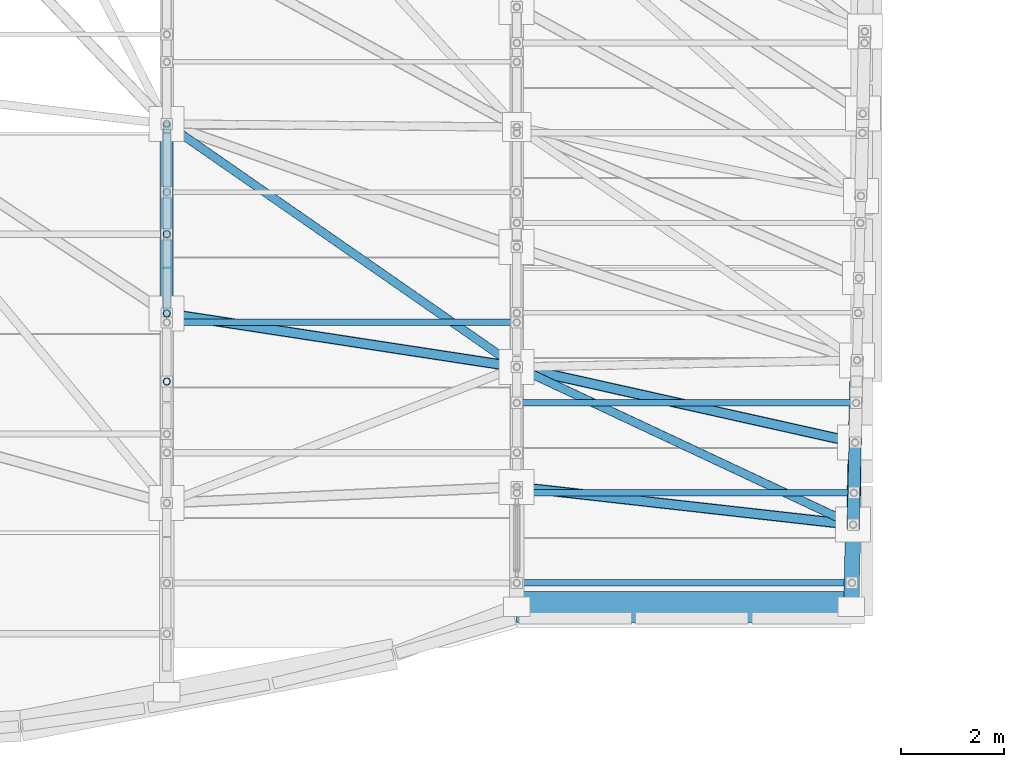
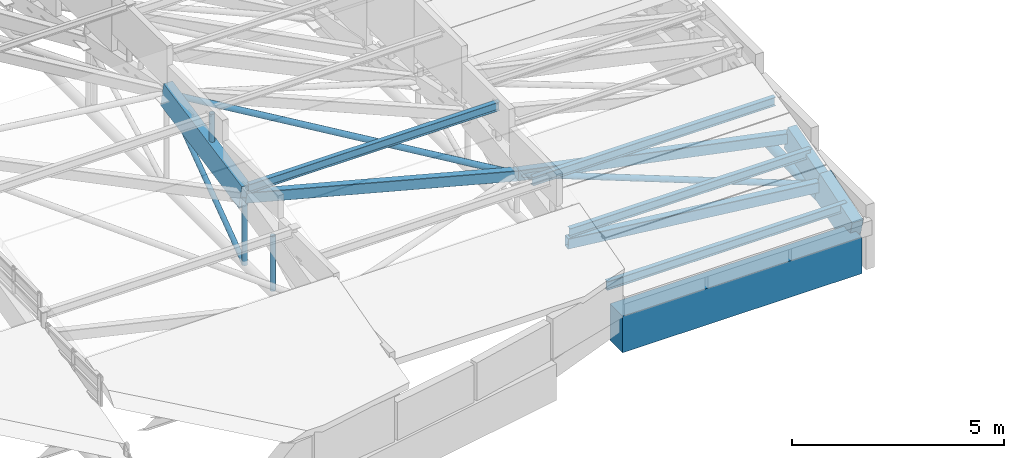
# One storey, part 30 of 188: 17 members, 1 beam.
"""IFC4 building model written with IfcOpenShell, lengths in metres."""

from ifc_helpers import new_model, si_unit, direction, frame, origin, origin_2d, place, context, subcontext, project, spatial, rectangle, hollow_rectangle, hollow_circle, i_section, extrude, material, material_profile, profile_set, type_object, element, save


model = new_model("IFC4")

# Units and contexts
model_context = context("Model", 3, precision=1e-05, world=origin(), true_north=direction((0.0, 1.0)))
body_context = subcontext(model_context, "Body", "Model", "MODEL_VIEW")
ifc_project = project(units=[si_unit("LENGTHUNIT", "METRE"), si_unit("AREAUNIT", "SQUARE_METRE"), si_unit("VOLUMEUNIT", "CUBIC_METRE"), si_unit("PLANEANGLEUNIT", "RADIAN"), si_unit("MASSUNIT", "GRAM", prefix="KILO")], contexts=[model_context])

# Site, building, storey
site_placement = place(None, origin())
site = spatial("IfcSite", under=ifc_project, at=site_placement, CompositionType="ELEMENT")
building_placement = place(site_placement, origin())
building = spatial("IfcBuilding", under=site, at=building_placement, Name="Kisaragi Civic Commons", CompositionType="ELEMENT")
storey_placement = place(building_placement, frame((0.0, 0.0, 9.60009765625)))
storey = spatial("IfcBuildingStorey", under=building, at=storey_placement, Name="L02", CompositionType="ELEMENT", Elevation=9.60009765625)

# Members
ifc_material_1 = material(Name="Steel SN400 (SN400B)", Category="steel")
ifc_material_profile_1 = material_profile(ifc_material_1, hollow_circle(Radius=0.08251953125, WallThickness=0.006103515625, at=origin_2d()), Name="CHS-165.2x6.0", Category="steel")
ifc_profile_set_1 = profile_set([ifc_material_profile_1], Name="Steel SN400 (SN400B)")
member_type_1 = type_object("IfcMemberType", Name="BR-02", PredefinedType="BRACE", material=ifc_profile_set_1)
member_1_placement = place(storey_placement, frame((34.0, 13.4033203125, 2.602783203125), z_axis=(0.801832133519, -0.556731110837, -0.217061511749), x_axis=(0.570328934437, 0.821416402651, 0.0)))
element("IfcMember", 1, at=member_1_placement, inside=storey, type_object=member_type_1, Name="V1 diagonal gridshell steel brace 32", PredefinedType="BRACE", context=body_context, shape_type="SweptSolid", body=[
    extrude(hollow_circle(Radius=0.08251953125, WallThickness=0.006103515625, at=origin_2d()), origin(), (0.0, 0.0, 1.0), 8.480712890625),
])
member_2_placement = place(storey_placement, frame((40.800048828125, 8.681884765625, 0.761962890625), z_axis=(0.900859454172, -0.422287331246, -0.100626307183), x_axis=(0.424441673351, 0.905455281018, 0.0)))
element("IfcMember", 2, at=member_2_placement, inside=storey, type_object=member_type_1, Name="V1 diagonal gridshell steel brace 37", PredefinedType="BRACE", context=body_context, shape_type="SweptSolid", body=[
    extrude(hollow_circle(Radius=0.08251953125, WallThickness=0.006103515625, at=origin_2d()), origin(), (0.0, 0.0, 1.0), 7.2568359375),
])

# Beam
ifc_material_2 = material(Name="Concrete Fc36", Category="concrete")
ifc_material_profile_2 = material_profile(ifc_material_2, rectangle(XDim=0.60009765625, YDim=1.050048828125, at=origin_2d()), Name="RC-600x1050", Category="concrete")
ifc_profile_set_2 = profile_set([ifc_material_profile_2], Name="Concrete Fc36")
beam_type = type_object("IfcBeamType", Name="G-06", PredefinedType="BEAM", material=ifc_profile_set_2)
beam_placement = place(storey_placement, frame((40.800048828125, 4.02001953125, -0.84521484375), z_axis=(1.0, 0.0, 0.0), x_axis=(0.0, 1.0, 0.0)))
element("IfcBeam", 3, at=beam_placement, inside=storey, type_object=beam_type, Name="L02 girder G-06 245", PredefinedType="BEAM", context=body_context, shape_type="SweptSolid", body=[
    extrude(rectangle(XDim=0.60009765625, YDim=1.050048828125, at=origin_2d()), origin(), (0.0, 0.0, 1.0), 6.5),
])

# Members
ifc_material_3 = material(Name="Steel SN490 (SN490B)", Category="steel")
ifc_material_profile_3 = material_profile(ifc_material_3, hollow_rectangle(XDim=0.199951171875, YDim=0.300048828125, WallThickness=0.009033203125, InnerFilletRadius=0.009033203125, OuterFilletRadius=0.01806640625, at=origin_2d()), Name="STKR-300x200x9", Category="steel")
ifc_profile_set_3 = profile_set([ifc_material_profile_3], Name="Steel SN490 (SN490B)")
member_type_2 = type_object("IfcMemberType", Name="GC-02", PredefinedType="CHORD", material=ifc_profile_set_3)
member_3_placement = place(storey_placement, frame((34.0, 9.7216796875, 1.872314453125), z_axis=(0.975879764043, -0.149221696588, -0.159347329439), x_axis=(0.15115304202, 0.988510373182, 0.0)))
element("IfcMember", 4, at=member_3_placement, inside=storey, type_object=member_type_2, Name="V1 wave gridshell chord GC-02 37", PredefinedType="CHORD", context=body_context, shape_type="SweptSolid", body=[
    extrude(hollow_rectangle(XDim=0.199951171875, YDim=0.300048828125, WallThickness=0.009033203125, InnerFilletRadius=0.009033203125, OuterFilletRadius=0.01806640625, at=origin_2d()), origin(), (0.0, 0.0, 1.0), 6.968017578125),
])
member_4_placement = place(storey_placement, frame((40.800048828125, 6.35107421875, 0.216064453125), z_axis=(0.99337196021, -0.111479356927, -0.028008956566), x_axis=(0.111523110542, 0.993761840591, 0.0)))
element("IfcMember", 5, at=member_4_placement, inside=storey, type_object=member_type_2, Name="V1 wave gridshell chord GC-02 43", PredefinedType="CHORD", context=body_context, shape_type="SweptSolid", body=[
    extrude(hollow_rectangle(XDim=0.199951171875, YDim=0.300048828125, WallThickness=0.009033203125, InnerFilletRadius=0.009033203125, OuterFilletRadius=0.01806640625, at=origin_2d()), origin(), (0.0, 0.0, 1.0), 6.5810546875),
])
member_5_placement = place(storey_placement, frame((40.800048828125, 8.681884765625, 0.761962890625), z_axis=(0.974834706589, -0.217474542987, -0.049011406659), x_axis=(0.217736214261, 0.97600765417, 0.0)))
element("IfcMember", 6, at=member_5_placement, inside=storey, type_object=member_type_2, Name="V1 wave gridshell chord GC-02 44", PredefinedType="CHORD", context=body_context, shape_type="SweptSolid", body=[
    extrude(hollow_rectangle(XDim=0.199951171875, YDim=0.300048828125, WallThickness=0.009033203125, InnerFilletRadius=0.009033203125, OuterFilletRadius=0.01806640625, at=origin_2d()), origin(), (0.0, 0.0, 1.0), 6.74462890625),
])
ifc_material_4 = material(Name="Glulam E120-F330", Category="wood")
ifc_material_profile_4 = material_profile(ifc_material_4, rectangle(XDim=0.239990234375, YDim=0.719970703125, at=origin_2d()), Name="GL-240x720", Category="wood")
ifc_profile_set_4 = profile_set([ifc_material_profile_4], Name="Glulam E120-F330")
member_type_3 = type_object("IfcMemberType", Name="GR-02", PredefinedType="RAFTER", material=ifc_profile_set_4)
member_6_placement = place(storey_placement, frame((34.0, 9.7216796875, 1.872314453125), z_axis=(0.0, 0.980879734859, 0.194614865166), x_axis=(-1.0, 0.0, 0.0)))
element("IfcMember", 7, at=member_6_placement, inside=storey, type_object=member_type_3, Name="V1 glulam arch rib GR-02 43", PredefinedType="RAFTER", context=body_context, shape_type="SweptSolid", body=[
    extrude(rectangle(XDim=0.239990234375, YDim=0.719970703125, at=origin_2d()), origin(), (0.0, 0.0, 1.0), 3.75341796875),
])
member_7_placement = place(storey_placement, frame((47.33740234375, 5.617431640625, 0.03173828125), z_axis=(0.02282360256, 0.969854903606, 0.242611931113), x_axis=(-0.999723213741, 0.023526493722, 0.0)))
element("IfcMember", 8, at=member_7_placement, inside=storey, type_object=member_type_3, Name="V1 glulam arch rib GR-02 58", PredefinedType="RAFTER", context=body_context, shape_type="SweptSolid", body=[
    extrude(rectangle(XDim=0.239990234375, YDim=0.719970703125, at=origin_2d()), origin(), (0.0, 0.0, 1.0), 1.647216796875),
])
ifc_material_profile_5 = material_profile(ifc_material_4, rectangle(XDim=0.300048828125, YDim=0.89990234375, at=origin_2d()), Name="GL-300x900", Category="wood")
ifc_profile_set_5 = profile_set([ifc_material_profile_5], Name="Glulam E120-F330")
member_type_4 = type_object("IfcMemberType", Name="GR-07", PredefinedType="RAFTER", material=ifc_profile_set_5)
member_8_placement = place(storey_placement, frame((47.300048828125, 4.02001953125, -0.4111328125), z_axis=(0.022528066973, 0.963406158219, 0.26709747379), x_axis=(-0.999726711746, 0.023377378404, 0.0)))
element("IfcMember", 9, at=member_8_placement, inside=storey, type_object=member_type_4, Name="V1 glulam arch rib GR-07 57", PredefinedType="RAFTER", context=body_context, shape_type="SweptSolid", body=[
    extrude(rectangle(XDim=0.300048828125, YDim=0.89990234375, at=origin_2d()), origin(), (0.0, 0.0, 1.0), 1.658203125),
])
ifc_material_profile_6 = material_profile(ifc_material_1, i_section(OverallWidth=0.125, OverallDepth=0.25, WebThickness=0.006103515625, FlangeThickness=0.009033203125, FilletRadius=0.008056640625, at=origin_2d()), Name="H-250x125x6x9", Category="steel")
ifc_profile_set_6 = profile_set([ifc_material_profile_6], Name="Steel SN400 (SN400B)")
member_type_5 = type_object("IfcMemberType", Name="PR-01", PredefinedType="PURLIN", material=ifc_profile_set_6)
member_9_placement = place(storey_placement, frame((34.0, 9.547607421875, 2.2197265625), z_axis=(1.0, 0.0, 0.0), x_axis=(0.0, 1.0, 0.0)))
element("IfcMember", 10, at=member_9_placement, inside=storey, type_object=member_type_5, Name="V1 wave vault steel purlin 42", PredefinedType="PURLIN", context=body_context, shape_type="SweptSolid", body=[
    extrude(i_section(OverallWidth=0.125, OverallDepth=0.25, WebThickness=0.006103515625, FlangeThickness=0.009033203125, FilletRadius=0.008056640625, at=origin_2d()), origin(), (0.0, 0.0, 1.0), 6.800048828125),
])
member_10_placement = place(storey_placement, frame((40.800048828125, 4.488037109375, 0.114501953125), z_axis=(1.0, 0.0, 0.0), x_axis=(0.0, 1.0, 0.0)))
element("IfcMember", 11, at=member_10_placement, inside=storey, type_object=member_type_5, Name="V1 wave vault steel purlin 48", PredefinedType="PURLIN", context=body_context, shape_type="SweptSolid", body=[
    extrude(i_section(OverallWidth=0.125, OverallDepth=0.25, WebThickness=0.006103515625, FlangeThickness=0.009033203125, FilletRadius=0.008056640625, at=origin_2d()), origin(), (0.0, 0.0, 1.0), 6.510986328125),
])
member_11_placement = place(storey_placement, frame((40.800048828125, 6.236328125, 0.578369140625), z_axis=(1.0, 0.0, 0.0), x_axis=(0.0, 1.0, 0.0)))
element("IfcMember", 12, at=member_11_placement, inside=storey, type_object=member_type_5, Name="V1 wave vault steel purlin 49", PredefinedType="PURLIN", context=body_context, shape_type="SweptSolid", body=[
    extrude(i_section(OverallWidth=0.125, OverallDepth=0.25, WebThickness=0.006103515625, FlangeThickness=0.009033203125, FilletRadius=0.008056640625, at=origin_2d()), origin(), (0.0, 0.0, 1.0), 6.552001953125),
])
member_12_placement = place(storey_placement, frame((40.800048828125, 7.984619140625, 0.993408203125), z_axis=(1.0, 0.0, 0.0), x_axis=(0.0, 1.0, 0.0)))
element("IfcMember", 13, at=member_12_placement, inside=storey, type_object=member_type_5, Name="V1 wave vault steel purlin 50", PredefinedType="PURLIN", context=body_context, shape_type="SweptSolid", body=[
    extrude(i_section(OverallWidth=0.125, OverallDepth=0.25, WebThickness=0.006103515625, FlangeThickness=0.009033203125, FilletRadius=0.008056640625, at=origin_2d()), origin(), (0.0, 0.0, 1.0), 6.593017578125),
])
ifc_material_profile_7 = material_profile(ifc_material_3, hollow_circle(Radius=0.06982421875, WallThickness=0.006103515625, at=origin_2d()), Name="CHS-139.8x6.0", Category="steel")
ifc_profile_set_7 = profile_set([ifc_material_profile_7], Name="Steel SN490 (SN490B)")
member_type_6 = type_object("IfcMemberType", Name="ST-H1", PredefinedType="STRUT", material=ifc_profile_set_7)
member_13_placement = place(storey_placement, frame((34.0, 9.7216796875, -0.080078125), z_axis=(0.0, 0.0, 1.0), x_axis=(1.0, 0.0, 0.0)))
element("IfcMember", 14, at=member_13_placement, inside=storey, type_object=member_type_6, Name="V1 arch tie hanger strut 72", PredefinedType="STRUT", context=body_context, shape_type="SweptSolid", body=[
    extrude(hollow_circle(Radius=0.06982421875, WallThickness=0.006103515625, at=origin_2d()), origin(), (0.0, 0.0, 1.0), 1.952392578125),
])
member_14_placement = place(storey_placement, frame((34.0, 9.7216796875, -0.080078125), z_axis=(0.0, 0.808181835215, 0.588933036285), x_axis=(-1.0, 0.0, 0.0)))
element("IfcMember", 15, at=member_14_placement, inside=storey, type_object=member_type_6, Name="V1 tied arch truss diagonal web strut 79", PredefinedType="STRUT", context=body_context, shape_type="SweptSolid", body=[
    extrude(hollow_circle(Radius=0.06982421875, WallThickness=0.006103515625, at=origin_2d()), origin(), (0.0, 0.0, 1.0), 4.555419921875),
])
member_15_placement = place(storey_placement, frame((34.0, 8.39990234375, -0.02001953125), z_axis=(0.0, 0.0, 1.0), x_axis=(1.0, 0.0, 0.0)))
element("IfcMember", 16, at=member_15_placement, inside=storey, type_object=member_type_6, Name="V1 interior column arch support post (34.0,8.4)", PredefinedType="STRUT", context=body_context, shape_type="SweptSolid", body=[
    extrude(hollow_circle(Radius=0.06982421875, WallThickness=0.006103515625, at=origin_2d()), origin(), (0.0, 0.0, 1.0), 1.573974609375),
])
member_16_placement = place(storey_placement, frame((34.0, 11.262451171875, 2.177978515625), z_axis=(0.0, 0.0, 1.0), x_axis=(1.0, 0.0, 0.0)))
element("IfcMember", 17, at=member_16_placement, inside=storey, type_object=member_type_6, Name="V1 clerestory monitor horizontal tie strut 5.5.3", PredefinedType="STRUT", context=body_context, shape_type="SweptSolid", body=[
    extrude(hollow_circle(Radius=0.06982421875, WallThickness=0.006103515625, at=origin_2d()), origin(), (0.0, 0.0, 1.0), 1.15673828125),
])
ifc_material_profile_8 = material_profile(ifc_material_3, hollow_circle(Radius=0.1337890625, WallThickness=0.009033203125, at=origin_2d()), Name="CHS-267.4x9.0", Category="steel")
ifc_profile_set_8 = profile_set([ifc_material_profile_8], Name="Steel SN490 (SN490B)")
member_type_7 = type_object("IfcMemberType", Name="ST-T1", PredefinedType="STRUT", material=ifc_profile_set_8)
member_17_placement = place(storey_placement, frame((47.300048828125, 4.02001953125, -0.4111328125), z_axis=(0.023460653533, 0.99972476099, 0.0), x_axis=(-0.99972476099, 0.023460653533, 0.0)))
element("IfcMember", 18, at=member_17_placement, inside=storey, type_object=member_type_7, Name="V1 arch tension tie ST-T1 92", PredefinedType="STRUT", context=body_context, shape_type="SweptSolid", body=[
    extrude(hollow_circle(Radius=0.1337890625, WallThickness=0.009033203125, at=origin_2d()), origin(), (0.0, 0.0, 1.0), 4.381103515625),
])

save(model, "model.ifc")
